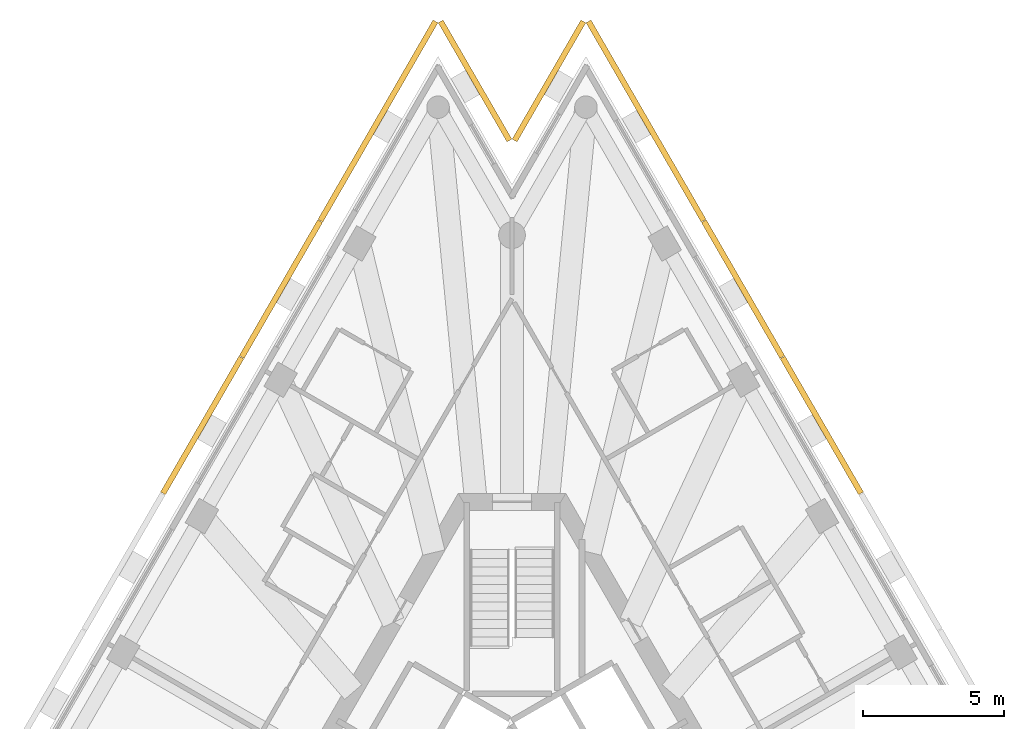
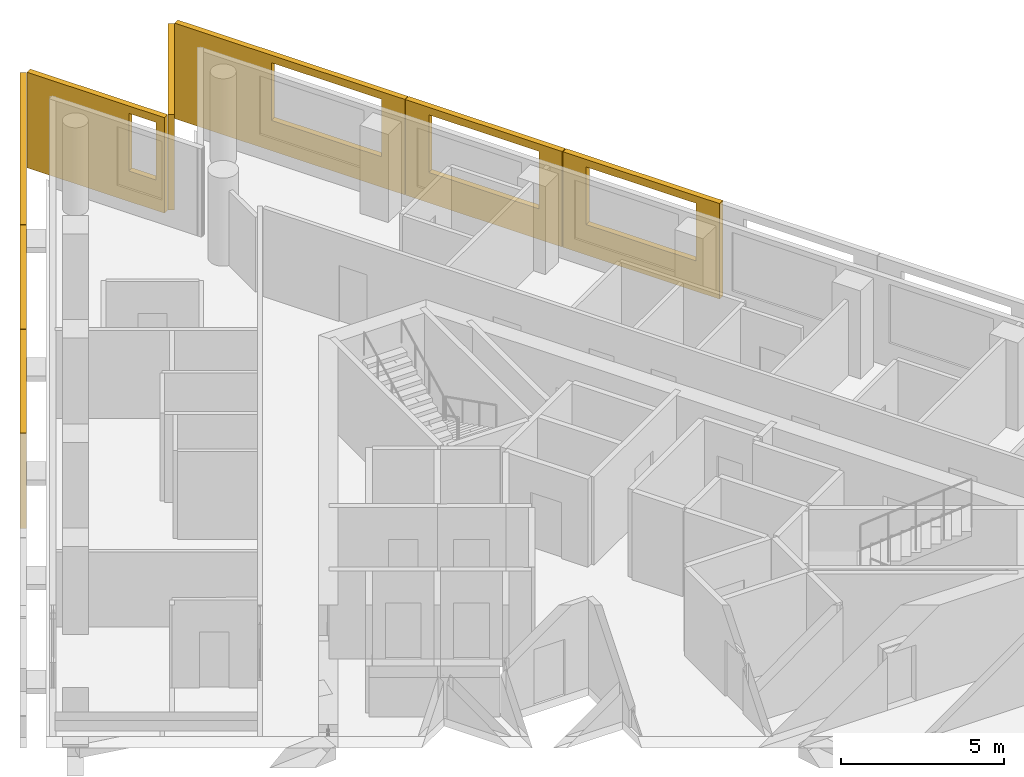
# One storey, part 10 of 10: 8 shading devices.
"""IFC4 building model written with IfcOpenShell, lengths in metres."""

from ifc_helpers import new_model, si_unit, direction, frame, origin, place, context, subcontext, project, spatial, polyline, outline, extrude, material, layer, layer_set, type_object, element, save


model = new_model("IFC4")

# Units and contexts
model_context = context("Model", 3, precision=1e-05, world=origin(), true_north=direction((0.0, 1.0)))
body_context = subcontext(model_context, "Body", "Model", "MODEL_VIEW")
ifc_project = project(units=[si_unit("LENGTHUNIT", "METRE"), si_unit("AREAUNIT", "SQUARE_METRE"), si_unit("VOLUMEUNIT", "CUBIC_METRE"), si_unit("PLANEANGLEUNIT", "RADIAN"), si_unit("MASSUNIT", "GRAM", prefix="KILO")], contexts=[model_context])

# Site, building, storey
site_placement = place(None, origin())
site = spatial("IfcSite", under=ifc_project, at=site_placement, CompositionType="ELEMENT")
building_placement = place(site_placement, origin())
building = spatial("IfcBuilding", under=site, at=building_placement, Name="Triada Interchange Tower", CompositionType="ELEMENT")
storey_placement = place(building_placement, frame((0.0, 0.0, 271.89990234375)))
storey = spatial("IfcBuildingStorey", under=building, at=storey_placement, Name="L63", CompositionType="ELEMENT", Elevation=271.89990234375)

# Shading devices
ifc_material = material(Name="Concrete C50/60 precast", Category="concrete")
ifc_layer_1 = layer(ifc_material, 0.02001953125, Name="Exposed aggregate face")
ifc_layer_2 = layer(ifc_material, 0.179931640625, Name="Precast concrete screen")
ifc_layer_set = layer_set([ifc_layer_1, ifc_layer_2], Name="Outer skin screen panel 3580")
shading_device_type = type_object("IfcShadingDeviceType", Name="Outer skin screen panel 3580", PredefinedType="SHUTTER", material=ifc_layer_set)
shading_device_1_placement = place(storey_placement, frame((-2.626953125, 30.283935546875, -0.289794921875), z_axis=(0.0, 0.0, 1.0), x_axis=(-0.500052253887, -0.865995232887, 0.0)))
element("IfcShadingDevice", 1, at=shading_device_1_placement, inside=storey, type_object=shading_device_type, Name="Outer skin screen panel L63 01", PredefinedType="SHUTTER", context=body_context, shape_type="SweptSolid", body=[
    extrude(outline(polyline([(0.0, 0.0), (8.159423828125, 0.0), (8.159423828125, 3.579833984375), (0.0, 3.579833984375), (0.0, 0.0)]), holes=[polyline([(3.4287109375, 1.139892578125), (3.4287109375, 3.300048828125), (7.32861328125, 3.300048828125), (7.32861328125, 1.139892578125), (3.4287109375, 1.139892578125)])]), frame((0.0, 0.0, 0.0), z_axis=(0.0, -1.0, 0.0), x_axis=(1.0, 0.0, 0.0)), (0.0, 0.0, 1.0), 0.199951171875),
])
shading_device_2_placement = place(storey_placement, frame((-6.717041015625, 23.200927734375, -0.289794921875), z_axis=(0.0, 0.0, 1.0), x_axis=(-0.499864322938, -0.866103722803, 0.0)))
element("IfcShadingDevice", 2, at=shading_device_2_placement, inside=storey, type_object=shading_device_type, Name="Outer skin screen panel L63 02", PredefinedType="SHUTTER", context=body_context, shape_type="SweptSolid", body=[
    extrude(outline(polyline([(0.0, 0.0), (5.5615234375, 0.0), (5.5615234375, 3.579833984375), (0.0, 3.579833984375), (0.0, 0.0)]), holes=[polyline([(0.830078125, 1.139892578125), (0.830078125, 3.300048828125), (4.730224609375, 3.300048828125), (4.730224609375, 1.139892578125), (0.830078125, 1.139892578125)])]), frame((0.0, 0.0, 0.0), z_axis=(0.0, -1.0, 0.0), x_axis=(1.0, 0.0, 0.0)), (0.0, 0.0, 1.0), 0.199951171875),
])
shading_device_3_placement = place(storey_placement, frame((-9.507080078125, 18.366943359375, -0.289794921875), z_axis=(0.0, 0.0, 1.0), x_axis=(-0.500072058625, -0.86598379672, 0.0)))
element("IfcShadingDevice", 3, at=shading_device_3_placement, inside=storey, type_object=shading_device_type, Name="Outer skin screen panel L63 03", PredefinedType="SHUTTER", context=body_context, shape_type="SweptSolid", body=[
    extrude(outline(polyline([(0.0, 0.0), (5.561279296875, 0.0), (5.561279296875, 3.579833984375), (0.0, 3.579833984375), (0.0, 0.0)]), holes=[polyline([(0.830810546875, 1.139892578125), (0.830810546875, 3.300048828125), (4.730712890625, 3.300048828125), (4.730712890625, 1.139892578125), (0.830810546875, 1.139892578125)])]), frame((0.0, 0.0, 0.0), z_axis=(0.0, -1.0, 0.0), x_axis=(1.0, 0.0, 0.0)), (0.0, 0.0, 1.0), 0.199951171875),
])
shading_device_4_placement = place(storey_placement, frame((12.2880859375, 13.551025390625, -0.289794921875), z_axis=(0.0, 0.0, 1.0), x_axis=(-0.500072058625, 0.86598379672, 0.0)))
element("IfcShadingDevice", 4, at=shading_device_4_placement, inside=storey, type_object=shading_device_type, Name="Outer skin screen panel L63 26", PredefinedType="SHUTTER", context=body_context, shape_type="SweptSolid", body=[
    extrude(outline(polyline([(0.0, 0.0), (5.561279296875, 0.0), (5.561279296875, 3.579833984375), (0.0, 3.579833984375), (0.0, 0.0)]), holes=[polyline([(0.83056640625, 1.139892578125), (0.83056640625, 3.300048828125), (4.73046875, 3.300048828125), (4.73046875, 1.139892578125), (0.83056640625, 1.139892578125)])]), frame((0.0, 0.0, 0.0), z_axis=(0.0, -1.0, 0.0), x_axis=(1.0, 0.0, 0.0)), (0.0, 0.0, 1.0), 0.199951171875),
])
shading_device_5_placement = place(storey_placement, frame((9.4970703125, 18.384033203125, -0.289794921875), z_axis=(0.0, 0.0, 1.0), x_axis=(-0.499864322938, 0.866103722803, 0.0)))
element("IfcShadingDevice", 5, at=shading_device_5_placement, inside=storey, type_object=shading_device_type, Name="Outer skin screen panel L63 27", PredefinedType="SHUTTER", context=body_context, shape_type="SweptSolid", body=[
    extrude(outline(polyline([(0.0, 0.0), (5.5615234375, 0.0), (5.5615234375, 3.579833984375), (0.0, 3.579833984375), (0.0, 0.0)]), holes=[polyline([(0.8310546875, 1.139892578125), (0.8310546875, 3.300048828125), (4.731201171875, 3.300048828125), (4.731201171875, 1.139892578125), (0.8310546875, 1.139892578125)])]), frame((0.0, 0.0, 0.0), z_axis=(0.0, -1.0, 0.0), x_axis=(1.0, 0.0, 0.0)), (0.0, 0.0, 1.0), 0.199951171875),
])
shading_device_6_placement = place(storey_placement, frame((6.70703125, 23.218017578125, -0.289794921875), z_axis=(0.0, 0.0, 1.0), x_axis=(-0.500052253887, 0.865995232887, 0.0)))
element("IfcShadingDevice", 6, at=shading_device_6_placement, inside=storey, type_object=shading_device_type, Name="Outer skin screen panel L63 28", PredefinedType="SHUTTER", context=body_context, shape_type="SweptSolid", body=[
    extrude(outline(polyline([(0.0, 0.0), (8.159423828125, 0.0), (8.159423828125, 3.579833984375), (0.0, 3.579833984375), (0.0, 0.0)]), holes=[polyline([(0.830810546875, 1.139892578125), (0.830810546875, 3.300048828125), (4.730712890625, 3.300048828125), (4.730712890625, 1.139892578125), (0.830810546875, 1.139892578125)])]), frame((0.0, 0.0, 0.0), z_axis=(0.0, -1.0, 0.0), x_axis=(1.0, 0.0, 0.0)), (0.0, 0.0, 1.0), 0.199951171875),
])
shading_device_7_placement = place(storey_placement, frame((2.616943359375, 30.283935546875, -0.289794921875), z_axis=(0.0, 0.0, 1.0), x_axis=(-0.500220869364, -0.865897847239, 0.0)))
element("IfcShadingDevice", 7, at=shading_device_7_placement, inside=storey, type_object=shading_device_type, Name="Outer skin screen panel L63 29", PredefinedType="SHUTTER", context=body_context, shape_type="SweptSolid", body=[
    extrude(outline(polyline([(0.0, 0.0), (4.875732421875, 0.0), (4.875732421875, 3.579833984375), (0.0, 3.579833984375), (0.0, 0.0)]), holes=[polyline([(3.175537109375, 1.139892578125), (3.175537109375, 3.300048828125), (4.576416015625, 3.300048828125), (4.576416015625, 1.139892578125), (3.175537109375, 1.139892578125)])]), frame((0.0, 0.0, 0.0), z_axis=(0.0, -1.0, 0.0), x_axis=(1.0, 0.0, 0.0)), (0.0, 0.0, 1.0), 0.199951171875),
])
shading_device_8_placement = place(storey_placement, frame((-0.177978515625, 26.06201171875, -0.289794921875), z_axis=(0.0, 0.0, 1.0), x_axis=(-0.500220869364, 0.865897847239, 0.0)))
element("IfcShadingDevice", 8, at=shading_device_8_placement, inside=storey, type_object=shading_device_type, Name="Outer skin screen panel L63 30", PredefinedType="SHUTTER", context=body_context, shape_type="SweptSolid", body=[
    extrude(outline(polyline([(0.0, 0.0), (4.875732421875, 0.0), (4.875732421875, 3.579833984375), (0.0, 3.579833984375), (0.0, 0.0)]), holes=[polyline([(0.300048828125, 1.139892578125), (0.300048828125, 3.300048828125), (1.258056640625, 3.300048828125), (1.258056640625, 1.139892578125), (0.300048828125, 1.139892578125)])]), frame((0.0, 0.0, 0.0), z_axis=(0.0, -1.0, 0.0), x_axis=(1.0, 0.0, 0.0)), (0.0, 0.0, 1.0), 0.199951171875),
])

save(model, "model.ifc")
